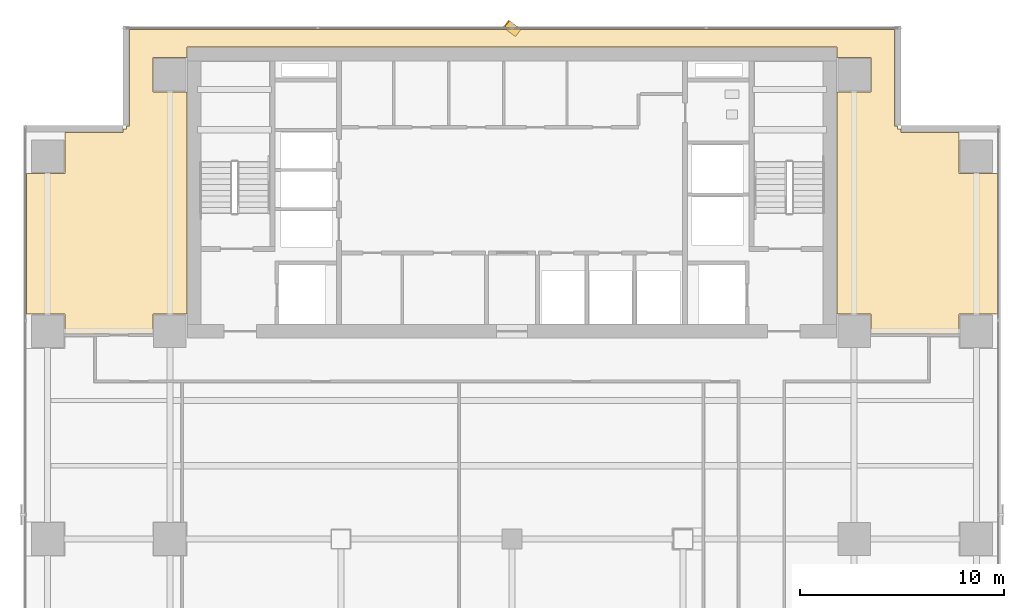
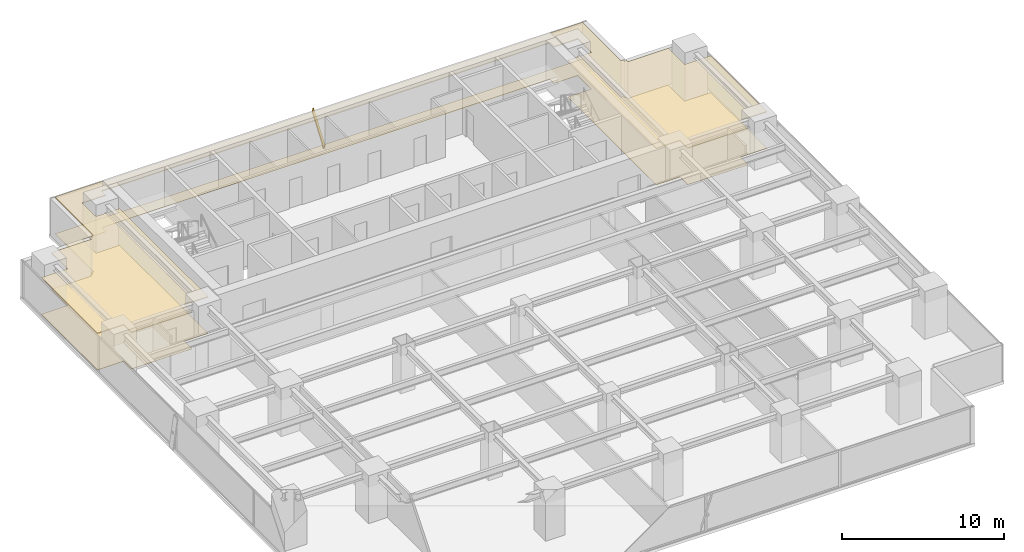
# One storey, part 25 of 27: 2 coverings, 1 shading device.
"""IFC4 building model written with IfcOpenShell, lengths in metres."""

from ifc_helpers import new_model, si_unit, direction, frame, origin, origin_2d, place, context, subcontext, project, spatial, polyline, rectangle, outline, extrude, source, transform, mapped, material, layer, layer_set, material_profile, profile_set, type_object, element, save


model = new_model("IFC4")

# Units and contexts
model_context = context("Model", 3, precision=1e-05, world=origin(), true_north=direction((0.0, 1.0)))
body_context = subcontext(model_context, "Body", "Model", "MODEL_VIEW")
ifc_project = project(units=[si_unit("LENGTHUNIT", "METRE"), si_unit("AREAUNIT", "SQUARE_METRE"), si_unit("VOLUMEUNIT", "CUBIC_METRE"), si_unit("PLANEANGLEUNIT", "RADIAN"), si_unit("MASSUNIT", "GRAM", prefix="KILO")], contexts=[model_context])

# Site, building, storey
site_placement = place(None, origin())
site = spatial("IfcSite", under=ifc_project, at=site_placement, CompositionType="ELEMENT")
building_placement = place(site_placement, origin())
building = spatial("IfcBuilding", under=site, at=building_placement, Name="Sumidabori Civic Tower", CompositionType="ELEMENT")
storey_placement = place(building_placement, frame((0.0, 0.0, 135.199951171875)))
storey = spatial("IfcBuildingStorey", under=building, at=storey_placement, Name="L34", CompositionType="ELEMENT", Elevation=135.199951171875)

# Coverings
ifc_material_1 = material(Name="Gypsum Coffered Acoustic Ceiling")
ifc_layer_1 = layer(ifc_material_1, 0.06494140625, Name="Gypsum Coffered Acoustic Ceiling")
ifc_layer_set_1 = layer_set([ifc_layer_1], Name="Gypsum Coffered Acoustic Ceiling")
covering_type_1 = type_object("IfcCoveringType", Name="CV-CEIL-AC4", PredefinedType="CEILING", material=ifc_layer_set_1)
covering_1_placement = place(storey_placement, frame((0.0, 0.0, 2.72998046875)))
element("IfcCovering", 1, at=covering_1_placement, inside=storey, type_object=covering_type_1, Name="Room Acoustic Ceiling L34-01", PredefinedType="CEILING", context=body_context, shape_type="SweptSolid", body=[
    extrude(outline(polyline([(-23.830078125, 17.9599609375), (-21.9599609375, 17.9599609375), (-21.9599609375, 19.971923828125), (-19.092041015625, 19.971923828125), (-19.092041015625, 20.1298828125), (-18.929931640625, 20.1298828125), (-18.929931640625, 20.2919921875), (-18.77197265625, 20.2919921875), (-18.77197265625, 25.030029296875), (18.77197265625, 25.030029296875), (18.77197265625, 20.2919921875), (18.929931640625, 20.2919921875), (18.929931640625, 20.1298828125), (19.092041015625, 20.1298828125), (19.092041015625, 19.971923828125), (21.9599609375, 19.971923828125), (21.9599609375, 17.9599609375), (23.830078125, 17.9599609375), (23.830078125, 11.0400390625), (21.9599609375, 11.0400390625), (21.9599609375, 10.080078125), (20.5400390625, 10.080078125), (20.5400390625, 10.090087890625), (17.639892578125, 10.090087890625), (17.639892578125, 11.0400390625), (15.952880859375, 11.0400390625), (15.952880859375, 21.9599609375), (17.639892578125, 21.9599609375), (17.639892578125, 23.639892578125), (15.952880859375, 23.639892578125), (15.952880859375, 24.153076171875), (-15.952880859375, 24.153076171875), (-15.952880859375, 23.639892578125), (-17.639892578125, 23.639892578125), (-17.639892578125, 21.9599609375), (-15.952880859375, 21.9599609375), (-15.952880859375, 11.0400390625), (-17.639892578125, 11.0400390625), (-17.639892578125, 10.090087890625), (-20.5400390625, 10.090087890625), (-20.5400390625, 10.080078125), (-21.9599609375, 10.080078125), (-21.9599609375, 11.0400390625), (-23.830078125, 11.0400390625), (-23.830078125, 17.9599609375)])), origin(), (0.0, 0.0, 1.0), 0.065185546875),
])
ifc_material_2 = material(Name="Honed Terrazzo Tile Flooring")
ifc_layer_2 = layer(ifc_material_2, 0.030029296875, Name="Honed Terrazzo Tile Flooring")
ifc_layer_set_2 = layer_set([ifc_layer_2], Name="Honed Terrazzo Tile Flooring")
covering_type_2 = type_object("IfcCoveringType", Name="CV-FLR-TER", PredefinedType="FLOORING", material=ifc_layer_set_2)
covering_2_placement = place(storey_placement, origin())
element("IfcCovering", 2, at=covering_2_placement, inside=storey, type_object=covering_type_2, Name="Room Terrazzo Floor L34-01", PredefinedType="FLOORING", context=body_context, shape_type="SweptSolid", body=[
    extrude(outline(polyline([(-23.830078125, 17.9599609375), (-21.9599609375, 17.9599609375), (-21.9599609375, 19.971923828125), (-19.092041015625, 19.971923828125), (-19.092041015625, 20.1298828125), (-18.929931640625, 20.1298828125), (-18.929931640625, 20.2919921875), (-18.77197265625, 20.2919921875), (-18.77197265625, 25.030029296875), (18.77197265625, 25.030029296875), (18.77197265625, 20.2919921875), (18.929931640625, 20.2919921875), (18.929931640625, 20.1298828125), (19.092041015625, 20.1298828125), (19.092041015625, 19.971923828125), (21.9599609375, 19.971923828125), (21.9599609375, 17.9599609375), (23.830078125, 17.9599609375), (23.830078125, 11.0400390625), (21.9599609375, 11.0400390625), (21.9599609375, 10.080078125), (20.5400390625, 10.080078125), (20.5400390625, 10.090087890625), (17.639892578125, 10.090087890625), (17.639892578125, 11.0400390625), (15.952880859375, 11.0400390625), (15.952880859375, 21.9599609375), (17.639892578125, 21.9599609375), (17.639892578125, 23.639892578125), (15.952880859375, 23.639892578125), (15.952880859375, 24.153076171875), (-15.952880859375, 24.153076171875), (-15.952880859375, 23.639892578125), (-17.639892578125, 23.639892578125), (-17.639892578125, 21.9599609375), (-15.952880859375, 21.9599609375), (-15.952880859375, 11.0400390625), (-17.639892578125, 11.0400390625), (-17.639892578125, 10.090087890625), (-20.5400390625, 10.090087890625), (-20.5400390625, 10.080078125), (-21.9599609375, 10.080078125), (-21.9599609375, 11.0400390625), (-23.830078125, 11.0400390625), (-23.830078125, 17.9599609375)])), origin(), (0.0, 0.0, 1.0), 0.030029296875),
])

# Shading device
ifc_material_3 = material(Name="Anodised Bronze Aluminium AW-6063-T6", Category="aluminium")
ifc_material_profile = material_profile(ifc_material_3, rectangle(XDim=0.06005859375, YDim=0.449951171875, at=origin_2d()), Name="BRONZE FIN 450x60")
ifc_profile_set = profile_set([ifc_material_profile], Name="Anodised Bronze Aluminium AW-6063-T6")
shading_device_type = type_object("IfcShadingDeviceType", Name="SH-FIN-450", PredefinedType="USERDEFINED", material=ifc_profile_set)
shared_shape = source(origin(), body_context, "Body", "SweptSolid", [
    extrude(rectangle(XDim=0.06005859375, YDim=0.449951171875, at=origin_2d()), origin(), (0.0, 0.0, 1.0), 2.789306640625),
])
shading_device_placement = place(storey_placement, frame((0.280029296875, 24.8701171875, 0.02001953125), z_axis=(-0.200794136335, 0.150551837182, 0.967995794998), x_axis=(0.774477654896, -0.580689436103, 0.250966413819)))
element("IfcShadingDevice", 3, at=shading_device_placement, inside=storey, type_object=shading_device_type, Name="Bronze Anodised Diagonal Fin L34-02", ObjectType="FIN", PredefinedType="USERDEFINED", context=body_context, shape_type="MappedRepresentation", body=[
    mapped(shared_shape, transform((0.0, 0.0, 0.0), x_axis=(1.0, 0.0, 0.0), y_axis=(0.0, 1.0, 0.0), z_axis=(0.0, 0.0, 1.0), scale=1.0)),
])

save(model, "model.ifc")
